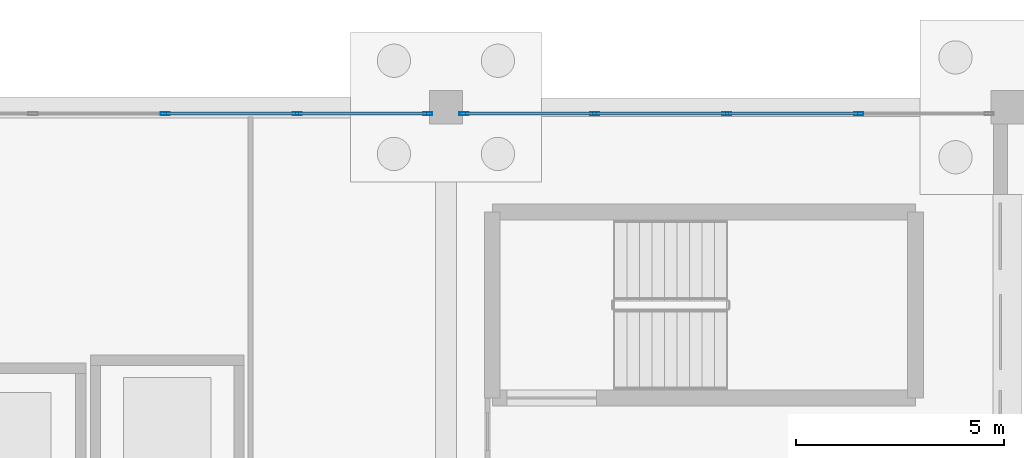
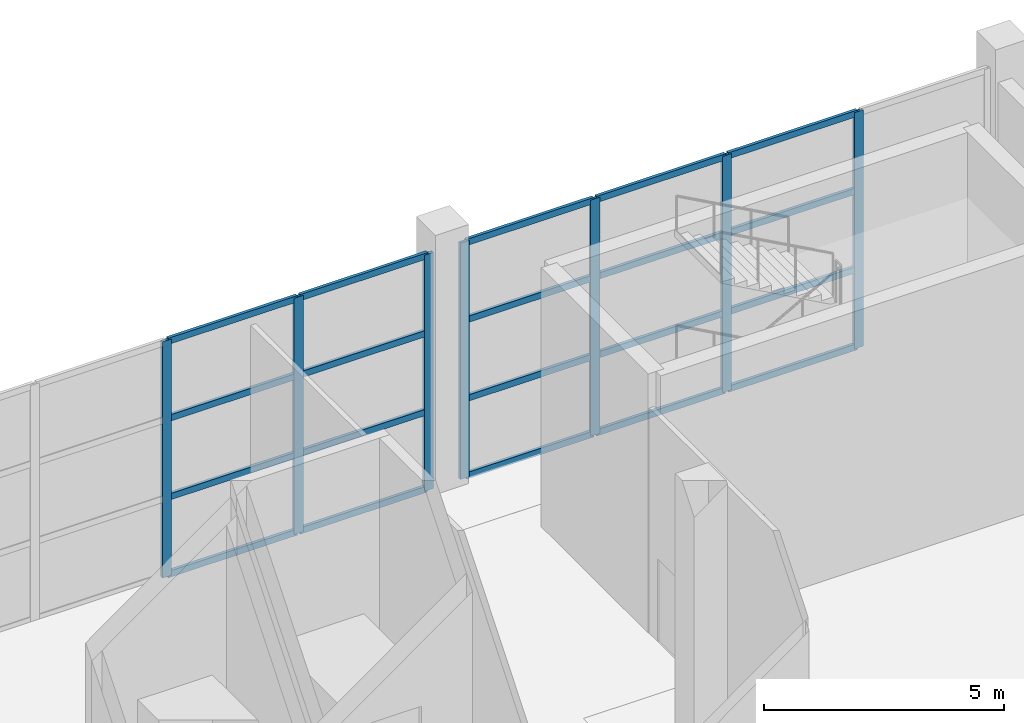
# One storey, part 74 of 115: 27 members, 2 elements without a shape of their own.
"""IFC4 building model written with IfcOpenShell, lengths in metres."""

from ifc_helpers import new_model, si_unit, direction, frame, origin, origin_2d, place, context, subcontext, project, spatial, hollow_rectangle, extrude, material, layer, layer_set, material_profile, profile_set, type_object, element, aggregate, save


model = new_model("IFC4")

# Units and contexts
model_context = context("Model", 3, precision=1e-05, world=origin(), true_north=direction((0.0, 1.0)))
body_context = subcontext(model_context, "Body", "Model", "MODEL_VIEW")
ifc_project = project(units=[si_unit("LENGTHUNIT", "METRE"), si_unit("AREAUNIT", "SQUARE_METRE"), si_unit("VOLUMEUNIT", "CUBIC_METRE"), si_unit("PLANEANGLEUNIT", "RADIAN"), si_unit("MASSUNIT", "GRAM", prefix="KILO")], contexts=[model_context])

# Site, building, storey
site_placement = place(None, origin())
site = spatial("IfcSite", under=ifc_project, at=site_placement, CompositionType="ELEMENT")
building_placement = place(site_placement, origin())
building = spatial("IfcBuilding", under=site, at=building_placement, Name="Tamarisk Ironworks Central Station", CompositionType="ELEMENT")
storey_placement = place(building_placement, origin())
storey = spatial("IfcBuildingStorey", under=building, at=storey_placement, Name="L00", CompositionType="ELEMENT", Elevation=0.0)

# Curtain wall, members
ifc_material = material(Name="Anodized aluminium alloy 6063-T6", Category="aluminium")
ifc_layer = layer(ifc_material, 0.179931640625)
ifc_layer_set = layer_set([ifc_layer], Name="Anodized aluminium alloy 6063-T6")
curtain_wall_type = type_object("IfcCurtainWallType", Name="CW-15", PredefinedType="USERDEFINED", material=ifc_layer_set)
curtain_wall_1_placement = place(storey_placement, origin())
curtain_wall_1 = element("IfcCurtainWall", 1, at=curtain_wall_1_placement, inside=storey, type_object=curtain_wall_type, Name="Operations L00 north facade curtain wall 153", ObjectType="GLAZED CURTAIN WALL", PredefinedType="USERDEFINED")
ifc_material_profile_1 = material_profile(ifc_material, hollow_rectangle(XDim=0.074951171875, YDim=0.219970703125, WallThickness=0.00390625, at=origin_2d()), Name="ALUM 220x75")
ifc_profile_set_1 = profile_set([ifc_material_profile_1], Name="Anodized aluminium alloy 6063-T6")
member_type_1 = type_object("IfcMemberType", Name="CWM-01", PredefinedType="MULLION", material=ifc_profile_set_1)
member_1_placement = place(storey_placement, frame((159.75, 122.25, 0.0), z_axis=(0.0, 0.0, 1.0), x_axis=(0.0, 1.0, 0.0)))
member_1 = element("IfcMember", 2, at=member_1_placement, type_object=member_type_1, Name="CW15 mullion 3", PredefinedType="MULLION", context=body_context, shape_type="SweptSolid", body=[
    extrude(hollow_rectangle(XDim=0.074951171875, YDim=0.219970703125, WallThickness=0.00390625, at=origin_2d()), origin(), (0.0, 0.0, 1.0), 6.02001953125),
])
member_2_placement = place(storey_placement, frame((162.926025390625, 122.25, 0.0), z_axis=(0.0, 0.0, 1.0), x_axis=(0.0, 1.0, 0.0)))
member_2 = element("IfcMember", 3, at=member_2_placement, type_object=member_type_1, Name="CW15 mullion 4", PredefinedType="MULLION", context=body_context, shape_type="SweptSolid", body=[
    extrude(hollow_rectangle(XDim=0.074951171875, YDim=0.219970703125, WallThickness=0.00390625, at=origin_2d()), origin(), (0.0, 0.0, 1.0), 6.02001953125),
])
member_3_placement = place(storey_placement, frame((166.064453125, 122.25, 0.0), z_axis=(0.0, 0.0, 1.0), x_axis=(0.0, 1.0, 0.0)))
member_3 = element("IfcMember", 4, at=member_3_placement, type_object=member_type_1, Name="CW15 mullion 5", PredefinedType="MULLION", context=body_context, shape_type="SweptSolid", body=[
    extrude(hollow_rectangle(XDim=0.074951171875, YDim=0.219970703125, WallThickness=0.00390625, at=origin_2d()), origin(), (0.0, 0.0, 1.0), 6.02001953125),
])

curtain_wall_2_placement = place(storey_placement, origin())
curtain_wall_2 = element("IfcCurtainWall", 5, at=curtain_wall_2_placement, inside=storey, type_object=curtain_wall_type, Name="Operations L00 north facade curtain wall 166", ObjectType="GLAZED CURTAIN WALL", PredefinedType="USERDEFINED")
member_4_placement = place(storey_placement, frame((166.935546875, 122.25, 0.0), z_axis=(0.0, 0.0, 1.0), x_axis=(0.0, 1.0, 0.0)))
member_4 = element("IfcMember", 6, at=member_4_placement, type_object=member_type_1, Name="CW15 mullion 1", PredefinedType="MULLION", context=body_context, shape_type="SweptSolid", body=[
    extrude(hollow_rectangle(XDim=0.074951171875, YDim=0.219970703125, WallThickness=0.00390625, at=origin_2d()), origin(), (0.0, 0.0, 1.0), 6.02001953125),
])
member_5_placement = place(storey_placement, frame((170.073974609375, 122.25, 0.0), z_axis=(0.0, 0.0, 1.0), x_axis=(0.0, 1.0, 0.0)))
member_5 = element("IfcMember", 7, at=member_5_placement, type_object=member_type_1, Name="CW15 mullion 2", PredefinedType="MULLION", context=body_context, shape_type="SweptSolid", body=[
    extrude(hollow_rectangle(XDim=0.074951171875, YDim=0.219970703125, WallThickness=0.00390625, at=origin_2d()), origin(), (0.0, 0.0, 1.0), 6.02001953125),
])
member_6_placement = place(storey_placement, frame((173.25, 122.25, 0.0), z_axis=(0.0, 0.0, 1.0), x_axis=(0.0, 1.0, 0.0)))
member_6 = element("IfcMember", 8, at=member_6_placement, type_object=member_type_1, Name="CW15 mullion 3", PredefinedType="MULLION", context=body_context, shape_type="SweptSolid", body=[
    extrude(hollow_rectangle(XDim=0.074951171875, YDim=0.219970703125, WallThickness=0.00390625, at=origin_2d()), origin(), (0.0, 0.0, 1.0), 6.02001953125),
])
member_7_placement = place(storey_placement, frame((176.426025390625, 122.25, 0.0), z_axis=(0.0, 0.0, 1.0), x_axis=(0.0, 1.0, 0.0)))
member_7 = element("IfcMember", 9, at=member_7_placement, type_object=member_type_1, Name="CW15 mullion 4", PredefinedType="MULLION", context=body_context, shape_type="SweptSolid", body=[
    extrude(hollow_rectangle(XDim=0.074951171875, YDim=0.219970703125, WallThickness=0.00390625, at=origin_2d()), origin(), (0.0, 0.0, 1.0), 6.02001953125),
])

# Member
ifc_material_profile_2 = material_profile(ifc_material, hollow_rectangle(XDim=0.074951171875, YDim=0.159912109375, WallThickness=0.00390625, at=origin_2d()), Name="ALUM 160x75")
ifc_profile_set_2 = profile_set([ifc_material_profile_2], Name="Anodized aluminium alloy 6063-T6")
member_type_2 = type_object("IfcMemberType", Name="CWT-01", PredefinedType="USERDEFINED", material=ifc_profile_set_2)
member_8_placement = place(storey_placement, frame((159.783447265625, 122.25, 0.03759765625), z_axis=(1.0, 0.0, 0.0), x_axis=(0.0, 1.0, 0.0)))
member_8 = element("IfcMember", 10, at=member_8_placement, type_object=member_type_2, Name="CW15 transom 3.1", ObjectType="TRANSOM", PredefinedType="USERDEFINED", context=body_context, shape_type="SweptSolid", body=[
    extrude(hollow_rectangle(XDim=0.074951171875, YDim=0.159912109375, WallThickness=0.00390625, at=origin_2d()), origin(), (0.0, 0.0, 1.0), 3.109130859375),
])

member_9_placement = place(storey_placement, frame((159.783447265625, 122.25, 2.006591796875), z_axis=(1.0, 0.0, 0.0), x_axis=(0.0, 1.0, 0.0)))
member_9 = element("IfcMember", 11, at=member_9_placement, type_object=member_type_2, Name="CW15 transom 3.2", ObjectType="TRANSOM", PredefinedType="USERDEFINED", context=body_context, shape_type="SweptSolid", body=[
    extrude(hollow_rectangle(XDim=0.074951171875, YDim=0.159912109375, WallThickness=0.00390625, at=origin_2d()), origin(), (0.0, 0.0, 1.0), 3.109130859375),
])

member_10_placement = place(storey_placement, frame((159.783447265625, 122.25, 4.01318359375), z_axis=(1.0, 0.0, 0.0), x_axis=(0.0, 1.0, 0.0)))
member_10 = element("IfcMember", 12, at=member_10_placement, type_object=member_type_2, Name="CW15 transom 3.3", ObjectType="TRANSOM", PredefinedType="USERDEFINED", context=body_context, shape_type="SweptSolid", body=[
    extrude(hollow_rectangle(XDim=0.074951171875, YDim=0.159912109375, WallThickness=0.00390625, at=origin_2d()), origin(), (0.0, 0.0, 1.0), 3.109130859375),
])

member_11_placement = place(storey_placement, frame((159.783447265625, 122.25, 5.982421875), z_axis=(1.0, 0.0, 0.0), x_axis=(0.0, 1.0, 0.0)))
member_11 = element("IfcMember", 13, at=member_11_placement, type_object=member_type_2, Name="CW15 transom 3.4", ObjectType="TRANSOM", PredefinedType="USERDEFINED", context=body_context, shape_type="SweptSolid", body=[
    extrude(hollow_rectangle(XDim=0.074951171875, YDim=0.159912109375, WallThickness=0.00390625, at=origin_2d()), origin(), (0.0, 0.0, 1.0), 3.109130859375),
])

member_12_placement = place(storey_placement, frame((162.95947265625, 122.25, 0.03759765625), z_axis=(1.0, 0.0, 0.0), x_axis=(0.0, 1.0, 0.0)))
member_12 = element("IfcMember", 14, at=member_12_placement, type_object=member_type_2, Name="CW15 transom 4.1", ObjectType="TRANSOM", PredefinedType="USERDEFINED", context=body_context, shape_type="SweptSolid", body=[
    extrude(hollow_rectangle(XDim=0.074951171875, YDim=0.159912109375, WallThickness=0.00390625, at=origin_2d()), origin(), (0.0, 0.0, 1.0), 3.071533203125),
])

member_13_placement = place(storey_placement, frame((162.95947265625, 122.25, 2.006591796875), z_axis=(1.0, 0.0, 0.0), x_axis=(0.0, 1.0, 0.0)))
member_13 = element("IfcMember", 15, at=member_13_placement, type_object=member_type_2, Name="CW15 transom 4.2", ObjectType="TRANSOM", PredefinedType="USERDEFINED", context=body_context, shape_type="SweptSolid", body=[
    extrude(hollow_rectangle(XDim=0.074951171875, YDim=0.159912109375, WallThickness=0.00390625, at=origin_2d()), origin(), (0.0, 0.0, 1.0), 3.071533203125),
])

member_14_placement = place(storey_placement, frame((162.95947265625, 122.25, 4.01318359375), z_axis=(1.0, 0.0, 0.0), x_axis=(0.0, 1.0, 0.0)))
member_14 = element("IfcMember", 16, at=member_14_placement, type_object=member_type_2, Name="CW15 transom 4.3", ObjectType="TRANSOM", PredefinedType="USERDEFINED", context=body_context, shape_type="SweptSolid", body=[
    extrude(hollow_rectangle(XDim=0.074951171875, YDim=0.159912109375, WallThickness=0.00390625, at=origin_2d()), origin(), (0.0, 0.0, 1.0), 3.071533203125),
])

member_15_placement = place(storey_placement, frame((162.95947265625, 122.25, 5.982421875), z_axis=(1.0, 0.0, 0.0), x_axis=(0.0, 1.0, 0.0)))
member_15 = element("IfcMember", 17, at=member_15_placement, type_object=member_type_2, Name="CW15 transom 4.4", ObjectType="TRANSOM", PredefinedType="USERDEFINED", context=body_context, shape_type="SweptSolid", body=[
    extrude(hollow_rectangle(XDim=0.074951171875, YDim=0.159912109375, WallThickness=0.00390625, at=origin_2d()), origin(), (0.0, 0.0, 1.0), 3.071533203125),
])

aggregate(curtain_wall_1, [member_1, member_2, member_3, member_8, member_9, member_10, member_11, member_12, member_13, member_14, member_15])

member_16_placement = place(storey_placement, frame((166.968994140625, 122.25, 0.03759765625), z_axis=(1.0, 0.0, 0.0), x_axis=(0.0, 1.0, 0.0)))
member_16 = element("IfcMember", 18, at=member_16_placement, type_object=member_type_2, Name="CW15 transom 1.1", ObjectType="TRANSOM", PredefinedType="USERDEFINED", context=body_context, shape_type="SweptSolid", body=[
    extrude(hollow_rectangle(XDim=0.074951171875, YDim=0.159912109375, WallThickness=0.00390625, at=origin_2d()), origin(), (0.0, 0.0, 1.0), 3.071533203125),
])

member_17_placement = place(storey_placement, frame((166.968994140625, 122.25, 2.006591796875), z_axis=(1.0, 0.0, 0.0), x_axis=(0.0, 1.0, 0.0)))
member_17 = element("IfcMember", 19, at=member_17_placement, type_object=member_type_2, Name="CW15 transom 1.2", ObjectType="TRANSOM", PredefinedType="USERDEFINED", context=body_context, shape_type="SweptSolid", body=[
    extrude(hollow_rectangle(XDim=0.074951171875, YDim=0.159912109375, WallThickness=0.00390625, at=origin_2d()), origin(), (0.0, 0.0, 1.0), 3.071533203125),
])

member_18_placement = place(storey_placement, frame((166.968994140625, 122.25, 4.01318359375), z_axis=(1.0, 0.0, 0.0), x_axis=(0.0, 1.0, 0.0)))
member_18 = element("IfcMember", 20, at=member_18_placement, type_object=member_type_2, Name="CW15 transom 1.3", ObjectType="TRANSOM", PredefinedType="USERDEFINED", context=body_context, shape_type="SweptSolid", body=[
    extrude(hollow_rectangle(XDim=0.074951171875, YDim=0.159912109375, WallThickness=0.00390625, at=origin_2d()), origin(), (0.0, 0.0, 1.0), 3.071533203125),
])

member_19_placement = place(storey_placement, frame((166.968994140625, 122.25, 5.982421875), z_axis=(1.0, 0.0, 0.0), x_axis=(0.0, 1.0, 0.0)))
member_19 = element("IfcMember", 21, at=member_19_placement, type_object=member_type_2, Name="CW15 transom 1.4", ObjectType="TRANSOM", PredefinedType="USERDEFINED", context=body_context, shape_type="SweptSolid", body=[
    extrude(hollow_rectangle(XDim=0.074951171875, YDim=0.159912109375, WallThickness=0.00390625, at=origin_2d()), origin(), (0.0, 0.0, 1.0), 3.071533203125),
])

member_20_placement = place(storey_placement, frame((170.107421875, 122.25, 0.03759765625), z_axis=(1.0, 0.0, 0.0), x_axis=(0.0, 1.0, 0.0)))
member_20 = element("IfcMember", 22, at=member_20_placement, type_object=member_type_2, Name="CW15 transom 2.1", ObjectType="TRANSOM", PredefinedType="USERDEFINED", context=body_context, shape_type="SweptSolid", body=[
    extrude(hollow_rectangle(XDim=0.074951171875, YDim=0.159912109375, WallThickness=0.00390625, at=origin_2d()), origin(), (0.0, 0.0, 1.0), 3.109130859375),
])

member_21_placement = place(storey_placement, frame((170.107421875, 122.25, 2.006591796875), z_axis=(1.0, 0.0, 0.0), x_axis=(0.0, 1.0, 0.0)))
member_21 = element("IfcMember", 23, at=member_21_placement, type_object=member_type_2, Name="CW15 transom 2.2", ObjectType="TRANSOM", PredefinedType="USERDEFINED", context=body_context, shape_type="SweptSolid", body=[
    extrude(hollow_rectangle(XDim=0.074951171875, YDim=0.159912109375, WallThickness=0.00390625, at=origin_2d()), origin(), (0.0, 0.0, 1.0), 3.109130859375),
])

member_22_placement = place(storey_placement, frame((170.107421875, 122.25, 4.01318359375), z_axis=(1.0, 0.0, 0.0), x_axis=(0.0, 1.0, 0.0)))
member_22 = element("IfcMember", 24, at=member_22_placement, type_object=member_type_2, Name="CW15 transom 2.3", ObjectType="TRANSOM", PredefinedType="USERDEFINED", context=body_context, shape_type="SweptSolid", body=[
    extrude(hollow_rectangle(XDim=0.074951171875, YDim=0.159912109375, WallThickness=0.00390625, at=origin_2d()), origin(), (0.0, 0.0, 1.0), 3.109130859375),
])

member_23_placement = place(storey_placement, frame((170.107421875, 122.25, 5.982421875), z_axis=(1.0, 0.0, 0.0), x_axis=(0.0, 1.0, 0.0)))
member_23 = element("IfcMember", 25, at=member_23_placement, type_object=member_type_2, Name="CW15 transom 2.4", ObjectType="TRANSOM", PredefinedType="USERDEFINED", context=body_context, shape_type="SweptSolid", body=[
    extrude(hollow_rectangle(XDim=0.074951171875, YDim=0.159912109375, WallThickness=0.00390625, at=origin_2d()), origin(), (0.0, 0.0, 1.0), 3.109130859375),
])

member_24_placement = place(storey_placement, frame((173.283447265625, 122.25, 0.03759765625), z_axis=(1.0, 0.0, 0.0), x_axis=(0.0, 1.0, 0.0)))
member_24 = element("IfcMember", 26, at=member_24_placement, type_object=member_type_2, Name="CW15 transom 3.1", ObjectType="TRANSOM", PredefinedType="USERDEFINED", context=body_context, shape_type="SweptSolid", body=[
    extrude(hollow_rectangle(XDim=0.074951171875, YDim=0.159912109375, WallThickness=0.00390625, at=origin_2d()), origin(), (0.0, 0.0, 1.0), 3.109130859375),
])

member_25_placement = place(storey_placement, frame((173.283447265625, 122.25, 2.006591796875), z_axis=(1.0, 0.0, 0.0), x_axis=(0.0, 1.0, 0.0)))
member_25 = element("IfcMember", 27, at=member_25_placement, type_object=member_type_2, Name="CW15 transom 3.2", ObjectType="TRANSOM", PredefinedType="USERDEFINED", context=body_context, shape_type="SweptSolid", body=[
    extrude(hollow_rectangle(XDim=0.074951171875, YDim=0.159912109375, WallThickness=0.00390625, at=origin_2d()), origin(), (0.0, 0.0, 1.0), 3.109130859375),
])

member_26_placement = place(storey_placement, frame((173.283447265625, 122.25, 4.01318359375), z_axis=(1.0, 0.0, 0.0), x_axis=(0.0, 1.0, 0.0)))
member_26 = element("IfcMember", 28, at=member_26_placement, type_object=member_type_2, Name="CW15 transom 3.3", ObjectType="TRANSOM", PredefinedType="USERDEFINED", context=body_context, shape_type="SweptSolid", body=[
    extrude(hollow_rectangle(XDim=0.074951171875, YDim=0.159912109375, WallThickness=0.00390625, at=origin_2d()), origin(), (0.0, 0.0, 1.0), 3.109130859375),
])

member_27_placement = place(storey_placement, frame((173.283447265625, 122.25, 5.982421875), z_axis=(1.0, 0.0, 0.0), x_axis=(0.0, 1.0, 0.0)))
member_27 = element("IfcMember", 29, at=member_27_placement, type_object=member_type_2, Name="CW15 transom 3.4", ObjectType="TRANSOM", PredefinedType="USERDEFINED", context=body_context, shape_type="SweptSolid", body=[
    extrude(hollow_rectangle(XDim=0.074951171875, YDim=0.159912109375, WallThickness=0.00390625, at=origin_2d()), origin(), (0.0, 0.0, 1.0), 3.109130859375),
])

aggregate(curtain_wall_2, [member_4, member_5, member_6, member_7, member_16, member_17, member_18, member_19, member_20, member_21, member_22, member_23, member_24, member_25, member_26, member_27])

save(model, "model.ifc")
